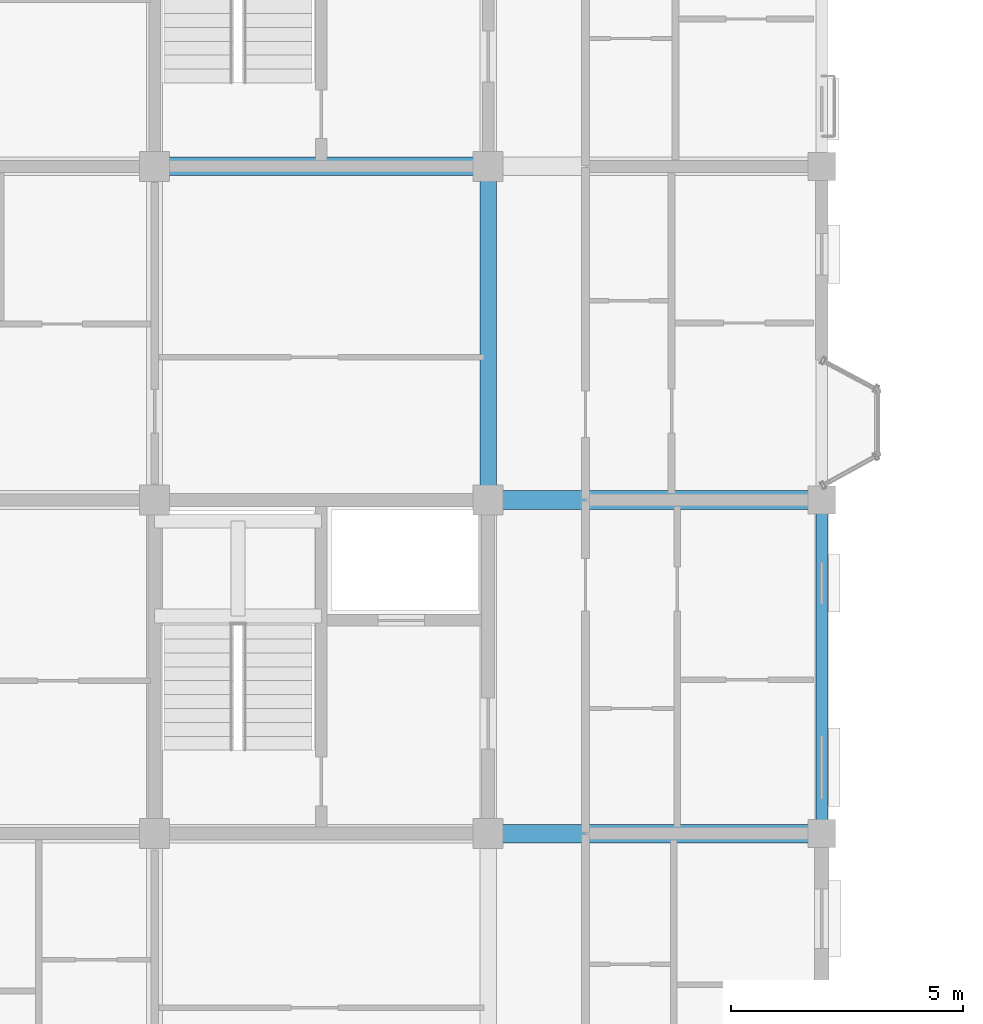
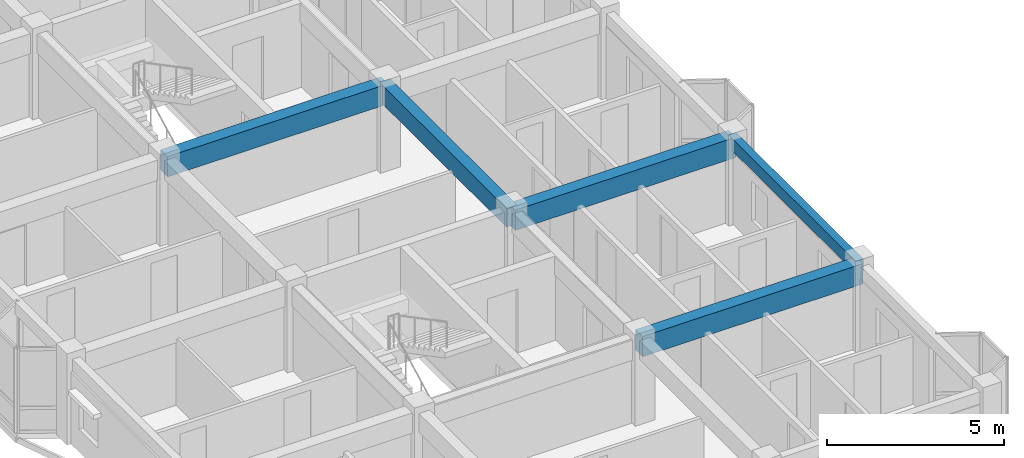
# One storey, part 30 of 124: 5 beams.
"""IFC4 building model written with IfcOpenShell, lengths in metres."""

from ifc_helpers import new_model, si_unit, direction, frame, origin, origin_2d, place, context, subcontext, project, spatial, rectangle, extrude, material, material_profile, profile_set, type_object, element, save


model = new_model("IFC4")

# Units and contexts
model_context = context("Model", 3, precision=1e-05, world=origin(), true_north=direction((0.0, 1.0)))
body_context = subcontext(model_context, "Body", "Model", "MODEL_VIEW")
ifc_project = project(units=[si_unit("LENGTHUNIT", "METRE"), si_unit("AREAUNIT", "SQUARE_METRE"), si_unit("VOLUMEUNIT", "CUBIC_METRE"), si_unit("PLANEANGLEUNIT", "RADIAN"), si_unit("MASSUNIT", "GRAM", prefix="KILO"), si_unit("THERMODYNAMICTEMPERATUREUNIT", "KELVIN"), si_unit("POWERUNIT", "WATT")], contexts=[model_context])

# Site, building, storey
site_placement = place(None, origin())
site = spatial("IfcSite", under=ifc_project, at=site_placement, CompositionType="ELEMENT")
building_placement = place(site_placement, origin())
building = spatial("IfcBuilding", under=site, at=building_placement, Name="Tavuni Mirador Residences", CompositionType="ELEMENT")
storey_placement = place(building_placement, frame((0.0, 0.0, 7.64990234375)))
storey = spatial("IfcBuildingStorey", under=building, at=storey_placement, Name="L02", CompositionType="ELEMENT", Elevation=7.64990234375)

# Beams
ifc_material = material(Name="Precast concrete C40/50", Category="concrete")
ifc_material_profile_1 = material_profile(ifc_material, rectangle(XDim=0.35009765625, YDim=0.64990234375, at=origin_2d()), Name="PC 350x650", Category="concrete")
ifc_profile_set_1 = profile_set([ifc_material_profile_1], Name="Precast concrete C40/50")
beam_type_1 = type_object("IfcBeamType", Name="BT-B650", PredefinedType="BEAM", material=ifc_profile_set_1)
beam_1_placement = place(storey_placement, frame((18.0, 79.199951171875, 2.585205078125), z_axis=(0.0, 1.0, 0.0), x_axis=(-1.0, 0.0, 0.0)))
element("IfcBeam", 1, at=beam_1_placement, inside=storey, type_object=beam_type_1, Name="BMY-BLK-B-L02-02-02", PredefinedType="BEAM", context=body_context, shape_type="SweptSolid", body=[
    extrude(rectangle(XDim=0.35009765625, YDim=0.64990234375, at=origin_2d()), origin(), (0.0, 0.0, 1.0), 7.199951171875),
])
ifc_material_profile_2 = material_profile(ifc_material, rectangle(XDim=0.39990234375, YDim=0.699951171875, at=origin_2d()), Name="PC 400x700", Category="concrete")
ifc_profile_set_2 = profile_set([ifc_material_profile_2], Name="Precast concrete C40/50")
beam_type_2 = type_object("IfcBeamType", Name="BT-B700", PredefinedType="BEAM", material=ifc_profile_set_2)
for number, where, z_axis, x_axis, name in (
    (2, (18.0, 72.0, 2.56005859375), (1.0, 0.0, 0.0), (0.0, 1.0, 0.0), "BMX-BLK-B-L02-02-01"),
    (3, (18.0, 79.199951171875, 2.56005859375), (1.0, 0.0, 0.0), (0.0, 1.0, 0.0), "BMX-BLK-B-L02-02-02"),
    (4, (10.800048828125, 86.39990234375, 2.56005859375), (1.0, 0.0, 0.0), (0.0, 1.0, 0.0), "BMX-BLK-B-L02-01-03"),
):
    element("IfcBeam", number, at=place(storey_placement, frame(where, z_axis=z_axis, x_axis=x_axis)), inside=storey, type_object=beam_type_2, Name=name, PredefinedType="BEAM", context=body_context, shape_type="SweptSolid", body=[
        extrude(rectangle(XDim=0.39990234375, YDim=0.699951171875, at=origin_2d()), origin(), (0.0, 0.0, 1.0), 7.199951171875),
    ])
ifc_material_profile_3 = material_profile(ifc_material, rectangle(XDim=0.25, YDim=0.419921875, at=origin_2d()), Name="PC 250x420", Category="concrete")
ifc_profile_set_3 = profile_set([ifc_material_profile_3], Name="Precast concrete C40/50")
beam_type_3 = type_object("IfcBeamType", Name="BT-SP420", PredefinedType="SPANDREL", material=ifc_profile_set_3)
beam_2_placement = place(storey_placement, frame((25.199951171875, 72.0, 2.7001953125), z_axis=(0.0, 1.0, 0.0), x_axis=(-1.0, 0.0, 0.0)))
element("IfcBeam", 5, at=beam_2_placement, inside=storey, type_object=beam_type_3, Name="BMY-BLK-B-L02-03-01", PredefinedType="SPANDREL", context=body_context, shape_type="SweptSolid", body=[
    extrude(rectangle(XDim=0.25, YDim=0.419921875, at=origin_2d()), origin(), (0.0, 0.0, 1.0), 7.199951171875),
])

save(model, "model.ifc")
